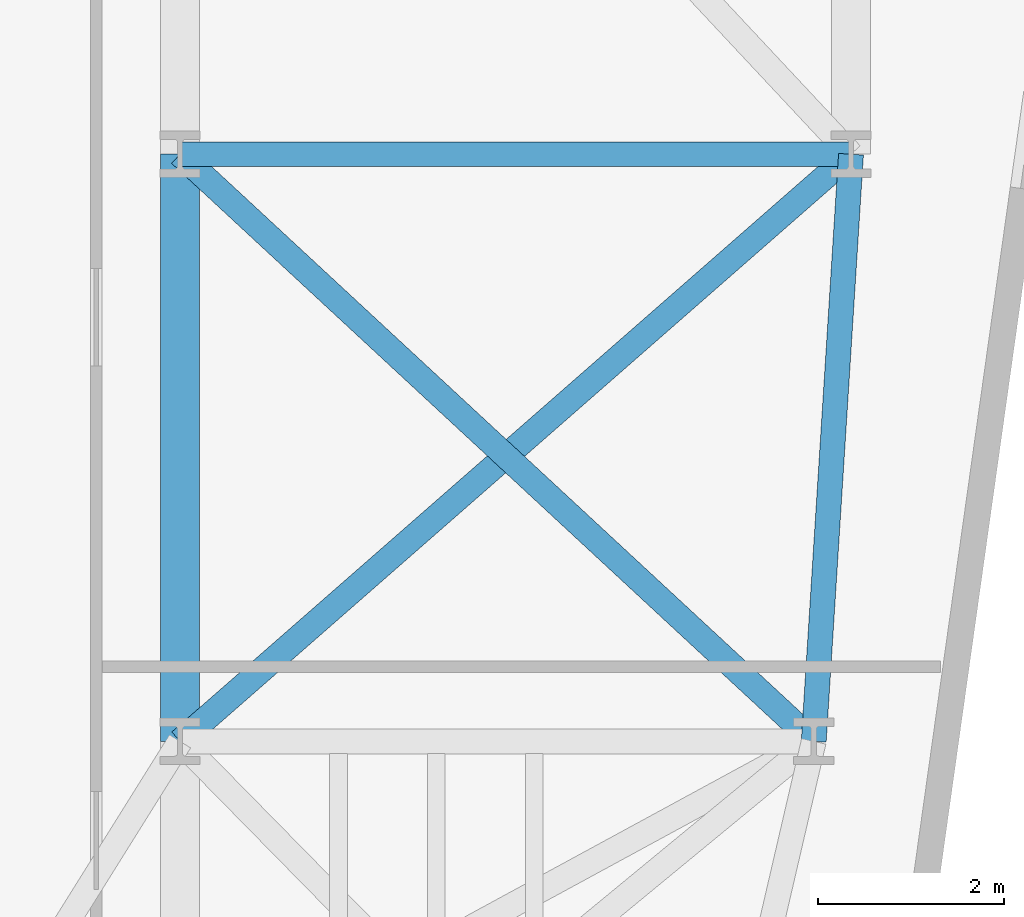
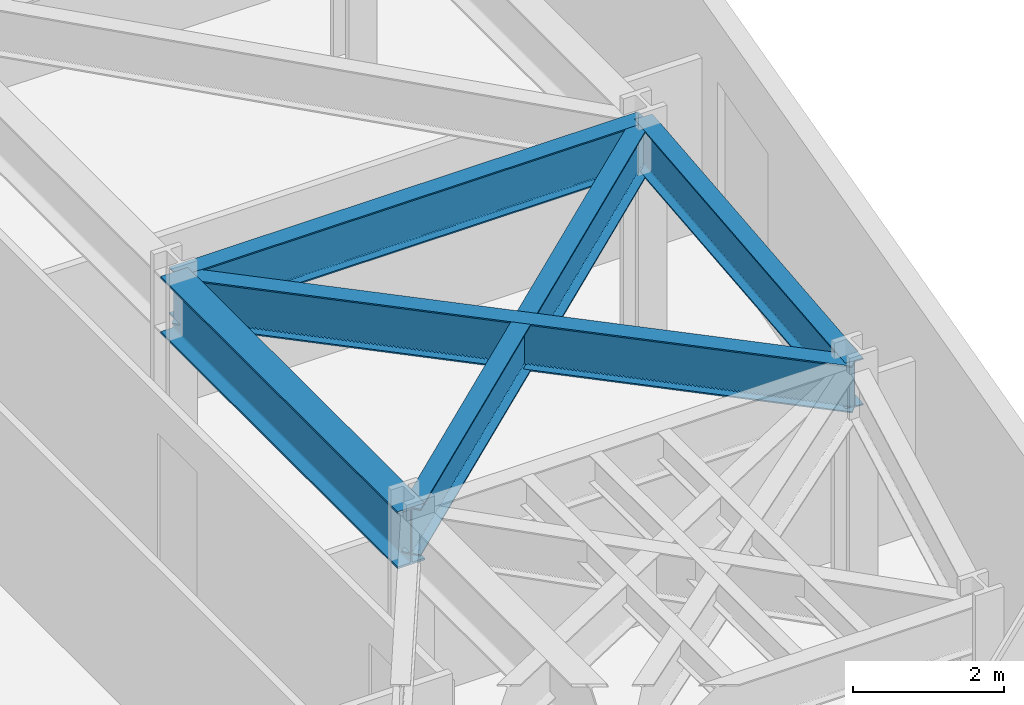
# One storey, part 14 of 24: 5 beams.
"""IFC4 building model written with IfcOpenShell, lengths in metres."""

from ifc_helpers import new_model, si_unit, direction, frame, origin, origin_2d, place, context, subcontext, project, spatial, i_section, extrude, material, material_profile, profile_set, type_object, element, save


model = new_model("IFC4")

# Units and contexts
model_context = context("Model", 3, precision=1e-05, world=origin(), true_north=direction((0.0, 1.0)))
body_context = subcontext(model_context, "Body", "Model", "MODEL_VIEW")
ifc_project = project(units=[si_unit("LENGTHUNIT", "METRE"), si_unit("AREAUNIT", "SQUARE_METRE"), si_unit("VOLUMEUNIT", "CUBIC_METRE"), si_unit("PLANEANGLEUNIT", "RADIAN"), si_unit("MASSUNIT", "GRAM", prefix="KILO")], contexts=[model_context])

# Site, building, storey
site_placement = place(None, origin())
site = spatial("IfcSite", under=ifc_project, at=site_placement, CompositionType="ELEMENT")
building_placement = place(site_placement, origin())
building = spatial("IfcBuilding", under=site, at=building_placement, Name="Kravanh Interchange Tower", CompositionType="ELEMENT")
storey_placement = place(building_placement, frame((0.0, 0.0, 61.5)))
storey = spatial("IfcBuildingStorey", under=building, at=storey_placement, Name="L14", CompositionType="ELEMENT", Elevation=61.5)

# Beams
ifc_material_1 = material(Name="Structural Steel S355", Category="steel")
ifc_material_profile_1 = material_profile(ifc_material_1, i_section(OverallWidth=0.41796875, OverallDepth=0.927001953125, WebThickness=0.019287109375, FlangeThickness=0.031982421875, FilletRadius=0.028076171875, at=origin_2d()), Name="W36X231")
ifc_profile_set_1 = profile_set([ifc_material_profile_1], Name="Structural Steel S355")
beam_type_1 = type_object("IfcBeamType", Name="Floor Beam W36X231 Structural Steel S355", PredefinedType="BEAM", material=ifc_profile_set_1)
beam_1_placement = place(storey_placement, frame((56.0, 14.5, 3.276611328125), z_axis=(0.0, -1.0, 0.0), x_axis=(1.0, 0.0, 0.0)))
element("IfcBeam", 1, at=beam_1_placement, inside=storey, type_object=beam_type_1, Name="L14 Primary Floor Girder 42", PredefinedType="BEAM", context=body_context, shape_type="SweptSolid", body=[
    extrude(i_section(OverallWidth=0.41796875, OverallDepth=0.927001953125, WebThickness=0.019287109375, FlangeThickness=0.031982421875, FilletRadius=0.028076171875, at=origin_2d()), origin(), (0.0, 0.0, 1.0), 6.300048828125),
])
ifc_material_2 = material(Name="Structural Steel S355", Category="steel")
ifc_material_profile_2 = material_profile(ifc_material_2, i_section(OverallWidth=0.26708984375, OverallDepth=0.761962890625, WebThickness=0.014404296875, FlangeThickness=0.021484375, FilletRadius=0.02490234375, at=origin_2d()), Name="W30X116")
ifc_profile_set_2 = profile_set([ifc_material_profile_2], Name="Structural Steel S355")
beam_type_2 = type_object("IfcBeamType", Name="Floor Spandrel W30X116 Structural Steel S355", PredefinedType="SPANDREL", material=ifc_profile_set_2)
beam_2_placement = place(storey_placement, frame((56.0, 14.5, 3.35888671875), z_axis=(1.0, 0.0, 0.0), x_axis=(0.0, 1.0, 0.0)))
element("IfcBeam", 2, at=beam_2_placement, inside=storey, type_object=beam_type_2, Name="L14 Perimeter Spandrel 43", PredefinedType="SPANDREL", context=body_context, shape_type="SweptSolid", body=[
    extrude(i_section(OverallWidth=0.26708984375, OverallDepth=0.761962890625, WebThickness=0.014404296875, FlangeThickness=0.021484375, FilletRadius=0.02490234375, at=origin_2d()), origin(), (0.0, 0.0, 1.0), 7.199951171875),
])
beam_3_placement = place(storey_placement, frame((56.0, 14.5, 3.35888671875), z_axis=(0.733561267923, -0.679623326706, 0.0), x_axis=(0.679623326706, 0.733561267923, 0.0)))
element("IfcBeam", 3, at=beam_3_placement, inside=storey, type_object=beam_type_2, Name="L14 Perimeter Spandrel 45", PredefinedType="SPANDREL", context=body_context, shape_type="SweptSolid", body=[
    extrude(i_section(OverallWidth=0.26708984375, OverallDepth=0.761962890625, WebThickness=0.014404296875, FlangeThickness=0.021484375, FilletRadius=0.02490234375, at=origin_2d()), origin(), (0.0, 0.0, 1.0), 9.27001953125),
])
beam_4_placement = place(storey_placement, frame((63.199951171875, 14.5, 3.35888671875), z_axis=(-0.063348576418, -0.99799146182, 0.0), x_axis=(0.99799146182, -0.063348576418, 0.0)))
element("IfcBeam", 4, at=beam_4_placement, inside=storey, type_object=beam_type_2, Name="L14 Perimeter Spandrel 46", PredefinedType="SPANDREL", context=body_context, shape_type="SweptSolid", body=[
    extrude(i_section(OverallWidth=0.26708984375, OverallDepth=0.761962890625, WebThickness=0.014404296875, FlangeThickness=0.021484375, FilletRadius=0.02490234375, at=origin_2d()), origin(), (0.0, 0.0, 1.0), 6.312744140625),
])
beam_5_placement = place(storey_placement, frame((63.199951171875, 14.5, 3.35888671875), z_axis=(-0.752571952274, -0.658510027752, 0.0), x_axis=(0.658510027752, -0.752571952274, 0.0)))
element("IfcBeam", 5, at=beam_5_placement, inside=storey, type_object=beam_type_2, Name="L14 Perimeter Spandrel 48", PredefinedType="SPANDREL", context=body_context, shape_type="SweptSolid", body=[
    extrude(i_section(OverallWidth=0.26708984375, OverallDepth=0.761962890625, WebThickness=0.014404296875, FlangeThickness=0.021484375, FilletRadius=0.02490234375, at=origin_2d()), origin(), (0.0, 0.0, 1.0), 9.567138671875),
])

save(model, "model.ifc")
